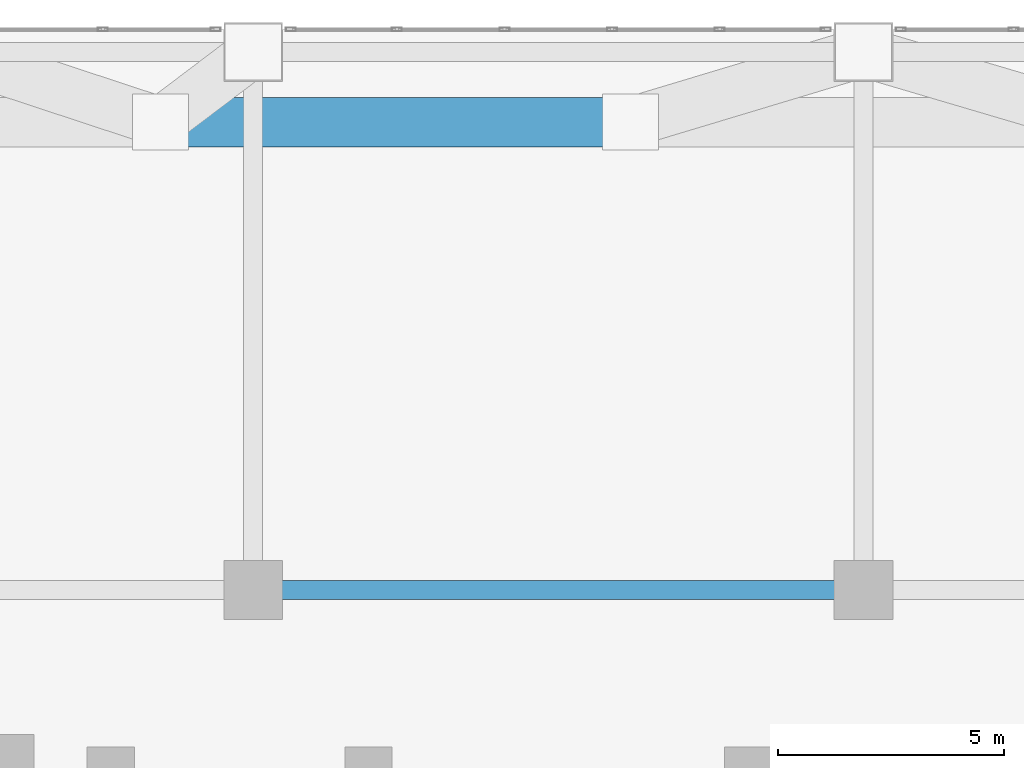
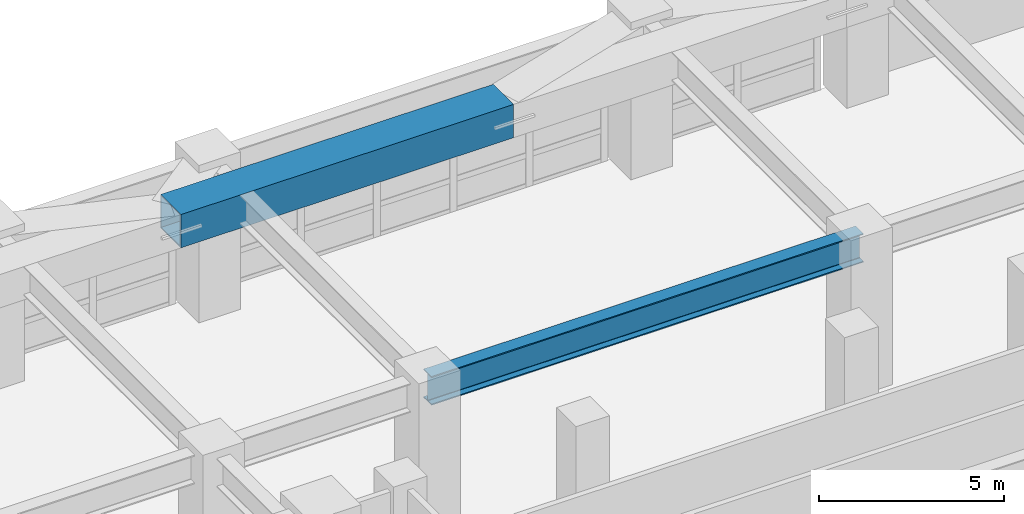
# One storey, part 9 of 20: 2 beams.
"""IFC4 building model written with IfcOpenShell, lengths in metres."""

from ifc_helpers import new_model, si_unit, direction, frame, origin, origin_2d, place, context, subcontext, project, spatial, hollow_rectangle, i_section, extrude, material, material_profile, profile_set, type_object, element, save


model = new_model("IFC4")

# Units and contexts
model_context = context("Model", 3, precision=1e-05, world=origin(), true_north=direction((0.0, 1.0)))
body_context = subcontext(model_context, "Body", "Model", "MODEL_VIEW")
ifc_project = project(units=[si_unit("LENGTHUNIT", "METRE"), si_unit("AREAUNIT", "SQUARE_METRE"), si_unit("VOLUMEUNIT", "CUBIC_METRE"), si_unit("PLANEANGLEUNIT", "RADIAN"), si_unit("MASSUNIT", "GRAM", prefix="KILO")], contexts=[model_context])

# Site, building, storey
site_placement = place(None, origin())
site = spatial("IfcSite", under=ifc_project, at=site_placement, CompositionType="ELEMENT")
building_placement = place(site_placement, origin())
building = spatial("IfcBuilding", under=site, at=building_placement, Name="Voryun Gate Residences", CompositionType="ELEMENT")
storey_placement = place(building_placement, frame((0.0, 0.0, 20.800048828125)))
storey = spatial("IfcBuildingStorey", under=building, at=storey_placement, Name="L04", CompositionType="ELEMENT", Elevation=20.800048828125)

# Beams
ifc_material_1 = material(Name="Steel SM420", Category="steel")
ifc_material_profile_1 = material_profile(ifc_material_1, hollow_rectangle(XDim=1.10009765625, YDim=1.10009765625, WallThickness=0.035888671875, at=origin_2d()), Name="BOX-1100x1100x36")
ifc_profile_set_1 = profile_set([ifc_material_profile_1], Name="Steel SM420")
beam_type_1 = type_object("IfcBeamType", Name="BM_ARCH_RIB", PredefinedType="USERDEFINED", material=ifc_profile_set_1)
beam_1_placement = place(storey_placement, frame((1.60009765625, 21.75, 4.39990234375), z_axis=(-1.0, 0.0, 0.0), x_axis=(0.0, -1.0, 0.0)))
element("IfcBeam", 1, at=beam_1_placement, inside=storey, type_object=beam_type_1, Name="BM-L04-B1RING-13", ObjectType="GIRDER", PredefinedType="USERDEFINED", context=body_context, shape_type="SweptSolid", body=[
    extrude(hollow_rectangle(XDim=1.10009765625, YDim=1.10009765625, WallThickness=0.035888671875, at=origin_2d()), origin(), (0.0, 0.0, 1.0), 10.400146484375),
])
ifc_material_2 = material(Name="Steel SM420", Category="steel")
ifc_material_profile_2 = material_profile(ifc_material_2, i_section(OverallWidth=0.419921875, OverallDepth=0.949951171875, WebThickness=0.02001953125, FlangeThickness=0.035888671875, FilletRadius=0.01806640625, at=origin_2d()), Name="H-950x420x20x36")
ifc_profile_set_2 = profile_set([ifc_material_profile_2], Name="Steel SM420")
beam_type_2 = type_object("IfcBeamType", Name="BM_XFER_950", PredefinedType="USERDEFINED", material=ifc_profile_set_2)
beam_2_placement = place(storey_placement, frame((-6.75, 11.39990234375, 4.474853515625), z_axis=(1.0, 0.0, 0.0), x_axis=(0.0, 1.0, 0.0)))
element("IfcBeam", 2, at=beam_2_placement, inside=storey, type_object=beam_type_2, Name="BM-L04-GX-+11.4-3", ObjectType="GIRDER", PredefinedType="USERDEFINED", context=body_context, shape_type="SweptSolid", body=[
    extrude(i_section(OverallWidth=0.419921875, OverallDepth=0.949951171875, WebThickness=0.02001953125, FlangeThickness=0.035888671875, FilletRadius=0.01806640625, at=origin_2d()), origin(), (0.0, 0.0, 1.0), 13.5),
])

save(model, "model.ifc")
